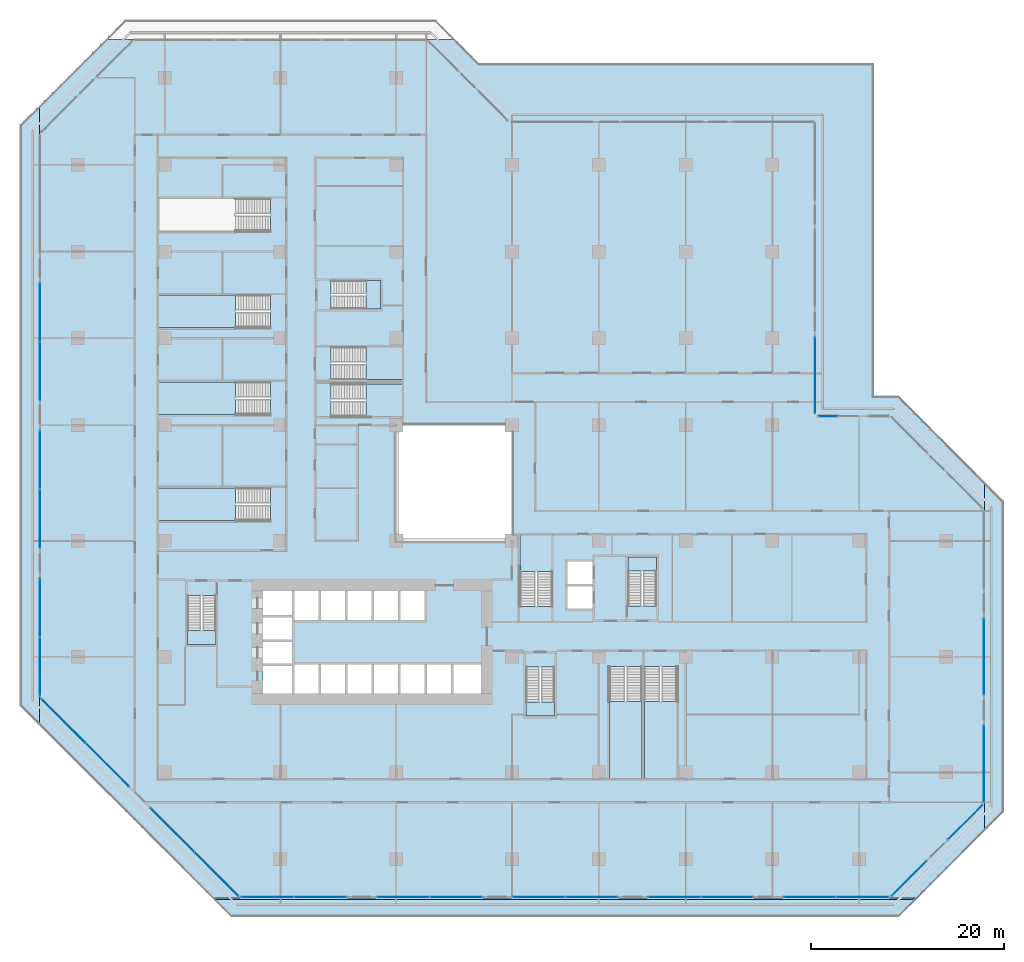
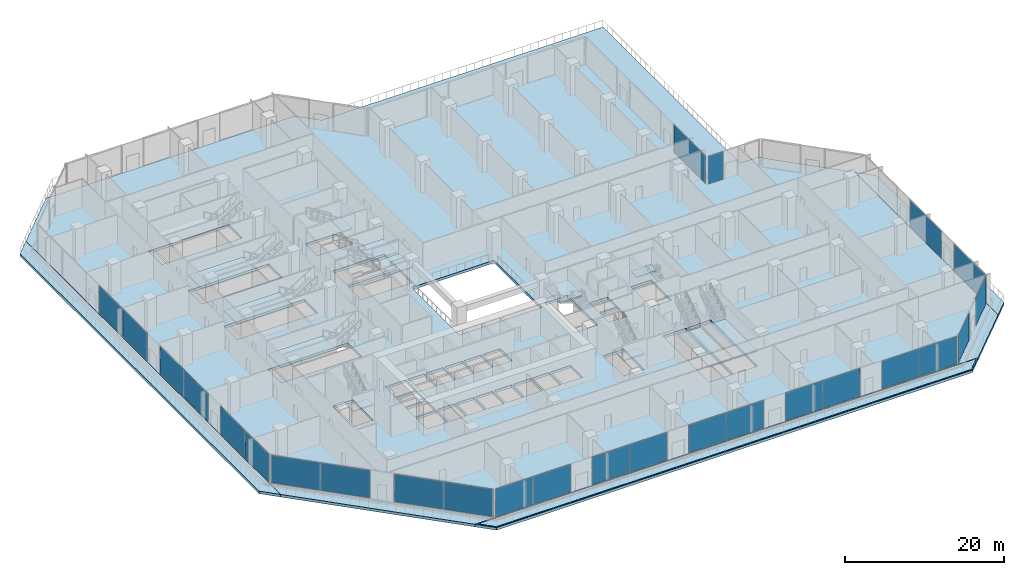
# One storey, part 12 of 31: 26 plates, 17 slabs, 28 elements without a shape of their own.
"""IFC4 building model written with IfcOpenShell, lengths in metres."""

from ifc_helpers import new_model, si_unit, direction, frame, origin, origin_2d, place, context, subcontext, project, spatial, polyline, rectangle, outline, extrude, material, layer, layer_set, type_object, element, aggregate, save


model = new_model("IFC4")

# Units and contexts
model_context = context("Model", 3, precision=1e-05, world=origin(), true_north=direction((0.0, 1.0)))
body_context = subcontext(model_context, "Body", "Model", "MODEL_VIEW")
ifc_project = project(units=[si_unit("LENGTHUNIT", "METRE"), si_unit("AREAUNIT", "SQUARE_METRE"), si_unit("VOLUMEUNIT", "CUBIC_METRE"), si_unit("PLANEANGLEUNIT", "RADIAN"), si_unit("MASSUNIT", "GRAM", prefix="KILO")], contexts=[model_context])

# Site, building, storey
site_placement = place(None, origin())
site = spatial("IfcSite", under=ifc_project, at=site_placement, CompositionType="ELEMENT")
building_placement = place(site_placement, origin())
building = spatial("IfcBuilding", under=site, at=building_placement, Name="Chenar Terraces", CompositionType="ELEMENT")
storey_placement = place(building_placement, frame((0.0, 0.0, 7.199951171875)))
storey = spatial("IfcBuildingStorey", under=building, at=storey_placement, Name="L01", CompositionType="ELEMENT", Elevation=7.199951171875)

# Stair, slab
ifc_material_1 = material(Name="Reinforced concrete C40/50", Category="concrete")
stair_type = type_object("IfcStairType", Name="Core stair 1400 half-turn", PredefinedType="HALF_TURN_STAIR", material=ifc_material_1)
placement_1 = place(storey_placement, origin())
stair_1 = element("IfcStair", 1, at=placement_1, inside=storey, type_object=stair_type, Name="L01 Stair 1", PredefinedType="HALF_TURN_STAIR")
ifc_material_2 = material(Name="Reinforced concrete C40/50", Category="concrete")
ifc_layer_1 = layer(ifc_material_2, 0.199951171875)
ifc_layer_set_1 = layer_set([ifc_layer_1], Name="Reinforced concrete C40/50")
slab_type_1 = type_object("IfcSlabType", Name="Core stair landing 200", PredefinedType="LANDING", material=ifc_layer_set_1)
placement_2 = place(storey_placement, frame((0.0, 0.0, 2.199951171875)))
slab_1 = element("IfcSlab", 2, at=placement_2, type_object=slab_type_1, Name="ST1 landing 1", PredefinedType="LANDING", context=body_context, shape_type="SweptSolid", body=[
    extrude(outline(polyline([(2.35009765625, 14.7099609375), (2.35009765625, 13.25), (5.300048828125, 13.25), (5.300048828125, 14.7099609375), (2.35009765625, 14.7099609375)])), origin(), (0.0, 0.0, 1.0), 0.2001953125),
])
aggregate(stair_1, [slab_1])

stair_2 = element("IfcStair", 3, at=placement_1, inside=storey, type_object=stair_type, Name="L01 Stair 2", PredefinedType="HALF_TURN_STAIR")
slab_2 = element("IfcSlab", 4, at=placement_2, type_object=slab_type_1, Name="ST2 landing 1", PredefinedType="LANDING", context=body_context, shape_type="SweptSolid", body=[
    extrude(outline(polyline([(37.449951171875, 7.31005859375), (37.449951171875, 5.85009765625), (40.39990234375, 5.85009765625), (40.39990234375, 7.31005859375), (37.449951171875, 7.31005859375)])), origin(), (0.0, 0.0, 1.0), 0.2001953125),
])
aggregate(stair_2, [slab_2])

stair_3 = element("IfcStair", 5, at=placement_1, inside=storey, type_object=stair_type, Name="L01 Stair 3", PredefinedType="HALF_TURN_STAIR")
slab_3 = element("IfcSlab", 6, at=placement_2, type_object=slab_type_1, Name="ST3 landing 1", PredefinedType="LANDING", context=body_context, shape_type="SweptSolid", body=[
    extrude(outline(polyline([(50.97509765625, 20.889892578125), (50.97509765625, 22.35009765625), (48.02490234375, 22.35009765625), (48.02490234375, 20.889892578125), (50.97509765625, 20.889892578125)])), origin(), (0.0, 0.0, 1.0), 0.2001953125),
])
aggregate(stair_3, [slab_3])

stair_4 = element("IfcStair", 7, at=placement_1, inside=storey, type_object=stair_type, Name="L01 Stair 4", PredefinedType="HALF_TURN_STAIR")
slab_4 = element("IfcSlab", 8, at=placement_2, type_object=slab_type_1, Name="ST4 landing 1", PredefinedType="LANDING", context=body_context, shape_type="SweptSolid", body=[
    extrude(outline(polyline([(20.889892578125, 48.02490234375), (22.35009765625, 48.02490234375), (22.35009765625, 50.97509765625), (20.889892578125, 50.97509765625), (20.889892578125, 48.02490234375)])), origin(), (0.0, 0.0, 1.0), 0.2001953125),
])
aggregate(stair_4, [slab_4])

stair_5 = element("IfcStair", 9, at=placement_1, inside=storey, type_object=stair_type, Name="L01 Exit stair PS1", PredefinedType="HALF_TURN_STAIR")
slab_5 = element("IfcSlab", 10, at=placement_2, type_object=slab_type_1, Name="PS1 landing 1", PredefinedType="LANDING", context=body_context, shape_type="SweptSolid", body=[
    extrude(outline(polyline([(40.175048828125, 20.840087890625), (40.175048828125, 24.699951171875), (36.824951171875, 24.699951171875), (36.824951171875, 20.840087890625), (40.175048828125, 20.840087890625)])), origin(), (0.0, 0.0, 1.0), 0.2001953125),
])
aggregate(stair_5, [slab_5])

stair_6 = element("IfcStair", 11, at=placement_1, inside=storey, type_object=stair_type, Name="L01 Exit stair PS2", PredefinedType="HALF_TURN_STAIR")
slab_6 = element("IfcSlab", 12, at=placement_2, type_object=slab_type_1, Name="PS2 landing 1", PredefinedType="LANDING", context=body_context, shape_type="SweptSolid", body=[
    extrude(outline(polyline([(49.7099609375, 7.344970703125), (49.7099609375, -0.699951171875), (53.090087890625, -0.699951171875), (53.090087890625, 7.344970703125), (49.7099609375, 7.344970703125)])), origin(), (0.0, 0.0, 1.0), 0.2001953125),
])
aggregate(stair_6, [slab_6])

stair_7 = element("IfcStair", 13, at=placement_1, inside=storey, type_object=stair_type, Name="L01 Exit stair PS4", PredefinedType="HALF_TURN_STAIR")
slab_7 = element("IfcSlab", 14, at=placement_2, type_object=slab_type_1, Name="PS4 landing 1", PredefinedType="LANDING", context=body_context, shape_type="SweptSolid", body=[
    extrude(outline(polyline([(7.344970703125, 49.489990234375), (-0.699951171875, 49.489990234375), (-0.699951171875, 46.110107421875), (7.344970703125, 46.110107421875), (7.344970703125, 49.489990234375)])), origin(), (0.0, 0.0, 1.0), 0.2001953125),
])
aggregate(stair_7, [slab_7])

stair_8 = element("IfcStair", 15, at=placement_1, inside=storey, type_object=stair_type, Name="L01 Exit stair PS5", PredefinedType="HALF_TURN_STAIR")
slab_8 = element("IfcSlab", 16, at=placement_2, type_object=slab_type_1, Name="PS5 landing 1", PredefinedType="LANDING", context=body_context, shape_type="SweptSolid", body=[
    extrude(outline(polyline([(7.344970703125, 29.489990234375), (-0.699951171875, 29.489990234375), (-0.699951171875, 26.110107421875), (7.344970703125, 26.110107421875), (7.344970703125, 29.489990234375)])), origin(), (0.0, 0.0, 1.0), 0.2001953125),
])
aggregate(stair_8, [slab_8])

stair_9 = element("IfcStair", 17, at=placement_1, inside=storey, type_object=stair_type, Name="L01 Exit stair PS6", PredefinedType="HALF_TURN_STAIR")
slab_9 = element("IfcSlab", 18, at=placement_2, type_object=slab_type_1, Name="PS6 landing 1", PredefinedType="LANDING", context=body_context, shape_type="SweptSolid", body=[
    extrude(outline(polyline([(46.110107421875, 7.344970703125), (46.110107421875, -0.699951171875), (49.489990234375, -0.699951171875), (49.489990234375, 7.344970703125), (46.110107421875, 7.344970703125)])), origin(), (0.0, 0.0, 1.0), 0.2001953125),
])
aggregate(stair_9, [slab_9])

stair_10 = element("IfcStair", 19, at=placement_1, inside=storey, type_object=stair_type, Name="L01 Exit stair PS7", PredefinedType="HALF_TURN_STAIR")
slab_10 = element("IfcSlab", 20, at=placement_2, type_object=slab_type_1, Name="PS7 landing 1", PredefinedType="LANDING", context=body_context, shape_type="SweptSolid", body=[
    extrude(outline(polyline([(20.85498046875, 36.909912109375), (24.699951171875, 36.909912109375), (24.699951171875, 40.2900390625), (20.85498046875, 40.2900390625), (20.85498046875, 36.909912109375)])), origin(), (0.0, 0.0, 1.0), 0.2001953125),
])
aggregate(stair_10, [slab_10])

stair_11 = element("IfcStair", 21, at=placement_1, inside=storey, type_object=stair_type, Name="L01 Exit stair PS8", PredefinedType="HALF_TURN_STAIR")
slab_11 = element("IfcSlab", 22, at=placement_2, type_object=slab_type_1, Name="PS8 landing 1", PredefinedType="LANDING", context=body_context, shape_type="SweptSolid", body=[
    extrude(outline(polyline([(20.85498046875, 40.7099609375), (24.699951171875, 40.7099609375), (24.699951171875, 44.090087890625), (20.85498046875, 44.090087890625), (20.85498046875, 40.7099609375)])), origin(), (0.0, 0.0, 1.0), 0.2001953125),
])
aggregate(stair_11, [slab_11])

stair_12 = element("IfcStair", 23, at=placement_1, inside=storey, type_object=stair_type, Name="L01 Exit stair PS9", PredefinedType="HALF_TURN_STAIR")
slab_12 = element("IfcSlab", 24, at=placement_2, type_object=slab_type_1, Name="PS9 landing 1", PredefinedType="LANDING", context=body_context, shape_type="SweptSolid", body=[
    extrude(outline(polyline([(7.344970703125, 40.489990234375), (-0.699951171875, 40.489990234375), (-0.699951171875, 37.110107421875), (7.344970703125, 37.110107421875), (7.344970703125, 40.489990234375)])), origin(), (0.0, 0.0, 1.0), 0.2001953125),
])
aggregate(stair_12, [slab_12])

# Slab
ifc_material_3 = material(Name="Concrete C40/50", Category="concrete")
ifc_layer_2 = layer(ifc_material_3, 0.39990234375)
ifc_layer_set_2 = layer_set([ifc_layer_2], Name="Concrete C40/50")
slab_type_2 = type_object("IfcSlabType", Name="Floor slab 400 Concrete C40/50", PredefinedType="FLOOR", material=ifc_layer_set_2)
placement_3 = place(storey_placement, frame((0.0, 0.0, -0.39990234375)))
element("IfcSlab", 25, at=placement_3, inside=storey, type_object=slab_type_2, Name="Floor slab L01", PredefinedType="FLOOR", context=body_context, shape_type="SweptSolid", body=[
    extrude(outline(polyline([(-12.998046875, 7.734619140625), (-12.998046875, 66.265380859375), (-13.0, 66.263427734375), (-13.0, 69.091796875), (-6.091796875, 76.0), (-3.263427734375, 76.0), (-3.265380859375, 75.998046875), (27.265380859375, 75.998046875), (27.263427734375, 76.0), (30.091796875, 76.0), (32.591796875, 73.5), (73.5, 73.5), (73.5, 39.0), (76.091796875, 39.0), (85.0, 30.091796875), (85.0, 27.263427734375), (84.998046875, 27.265380859375), (84.998046875, -3.265380859375), (85.0, -3.263427734375), (85.0, -6.091796875), (78.091796875, -13.0), (75.263427734375, -13.0), (75.265380859375, -12.998046875), (7.734619140625, -12.998046875), (7.736572265625, -13.0), (4.908203125, -13.0), (-13.0, 4.908203125), (-13.0, 7.736572265625), (-12.998046875, 7.734619140625)]), holes=[polyline([(13.199951171875, 8.199951171875), (13.199951171875, 11.050048828125), (10.199951171875, 11.050048828125), (10.199951171875, 8.199951171875), (13.199951171875, 8.199951171875)]), polyline([(15.949951171875, 8.199951171875), (15.949951171875, 11.199951171875), (13.449951171875, 11.199951171875), (13.449951171875, 8.199951171875), (15.949951171875, 8.199951171875)]), polyline([(18.699951171875, 8.199951171875), (18.699951171875, 11.199951171875), (16.199951171875, 11.199951171875), (16.199951171875, 8.199951171875), (18.699951171875, 8.199951171875)]), polyline([(21.449951171875, 8.199951171875), (21.449951171875, 11.199951171875), (18.949951171875, 11.199951171875), (18.949951171875, 8.199951171875), (21.449951171875, 8.199951171875)]), polyline([(13.199951171875, 11.300048828125), (13.199951171875, 13.550048828125), (10.199951171875, 13.550048828125), (10.199951171875, 11.300048828125), (13.199951171875, 11.300048828125)]), polyline([(13.199951171875, 13.800048828125), (13.199951171875, 16.050048828125), (10.199951171875, 16.050048828125), (10.199951171875, 13.800048828125), (13.199951171875, 13.800048828125)]), polyline([(2.35009765625, 18.35009765625), (2.35009765625, 13.25), (5.300048828125, 13.25), (5.300048828125, 18.35009765625), (2.35009765625, 18.35009765625)]), polyline([(15.949951171875, 15.800048828125), (15.949951171875, 18.800048828125), (13.449951171875, 18.800048828125), (13.449951171875, 15.800048828125), (15.949951171875, 15.800048828125)]), polyline([(18.699951171875, 15.800048828125), (18.699951171875, 18.800048828125), (16.199951171875, 18.800048828125), (16.199951171875, 15.800048828125), (18.699951171875, 15.800048828125)]), polyline([(21.449951171875, 15.800048828125), (21.449951171875, 18.800048828125), (18.949951171875, 18.800048828125), (18.949951171875, 15.800048828125), (21.449951171875, 15.800048828125)]), polyline([(13.199951171875, 16.300048828125), (13.199951171875, 18.800048828125), (10.199951171875, 18.800048828125), (10.199951171875, 16.300048828125), (13.199951171875, 16.300048828125)]), polyline([(10.985107421875, 29.489990234375), (-0.699951171875, 29.489990234375), (-0.699951171875, 26.110107421875), (10.985107421875, 26.110107421875), (10.985107421875, 29.489990234375)]), polyline([(10.985107421875, 40.489990234375), (-0.699951171875, 40.489990234375), (-0.699951171875, 37.110107421875), (10.985107421875, 37.110107421875), (10.985107421875, 40.489990234375)]), polyline([(10.985107421875, 49.489990234375), (-0.699951171875, 49.489990234375), (-0.699951171875, 46.110107421875), (10.985107421875, 46.110107421875), (10.985107421875, 49.489990234375)]), polyline([(17.25, 48.02490234375), (22.35009765625, 48.02490234375), (22.35009765625, 50.97509765625), (17.25, 50.97509765625), (17.25, 48.02490234375)]), polyline([(10.985107421875, 59.489990234375), (-0.699951171875, 59.489990234375), (-0.699951171875, 56.110107421875), (10.985107421875, 56.110107421875), (10.985107421875, 59.489990234375)]), polyline([(46.110107421875, 10.985107421875), (46.110107421875, -0.699951171875), (49.489990234375, -0.699951171875), (49.489990234375, 10.985107421875), (46.110107421875, 10.985107421875)]), polyline([(49.7099609375, 10.985107421875), (49.7099609375, -0.699951171875), (53.090087890625, -0.699951171875), (53.090087890625, 10.985107421875), (49.7099609375, 10.985107421875)]), polyline([(37.449951171875, 10.949951171875), (37.449951171875, 5.85009765625), (40.39990234375, 5.85009765625), (40.39990234375, 10.949951171875), (37.449951171875, 10.949951171875)]), polyline([(24.199951171875, 8.199951171875), (24.199951171875, 11.199951171875), (21.699951171875, 11.199951171875), (21.699951171875, 8.199951171875), (24.199951171875, 8.199951171875)]), polyline([(26.949951171875, 8.199951171875), (26.949951171875, 11.199951171875), (24.449951171875, 11.199951171875), (24.449951171875, 8.199951171875), (26.949951171875, 8.199951171875)]), polyline([(29.699951171875, 8.199951171875), (29.699951171875, 11.199951171875), (27.199951171875, 11.199951171875), (27.199951171875, 8.199951171875), (29.699951171875, 8.199951171875)]), polyline([(32.800048828125, 8.199951171875), (32.800048828125, 11.199951171875), (29.949951171875, 11.199951171875), (29.949951171875, 8.199951171875), (32.800048828125, 8.199951171875)]), polyline([(24.199951171875, 15.800048828125), (24.199951171875, 18.800048828125), (21.699951171875, 18.800048828125), (21.699951171875, 15.800048828125), (24.199951171875, 15.800048828125)]), polyline([(26.949951171875, 15.800048828125), (26.949951171875, 18.800048828125), (24.449951171875, 18.800048828125), (24.449951171875, 15.800048828125), (26.949951171875, 15.800048828125)]), polyline([(44.35009765625, 17.0), (44.35009765625, 19.300048828125), (41.75, 19.300048828125), (41.75, 17.0), (44.35009765625, 17.0)]), polyline([(50.97509765625, 17.25), (50.97509765625, 22.35009765625), (48.02490234375, 22.35009765625), (48.02490234375, 17.25), (50.97509765625, 17.25)]), polyline([(44.35009765625, 19.550048828125), (44.35009765625, 21.85009765625), (41.75, 21.85009765625), (41.75, 19.550048828125), (44.35009765625, 19.550048828125)]), polyline([(40.175048828125, 17.199951171875), (40.175048828125, 24.699951171875), (36.824951171875, 24.699951171875), (36.824951171875, 17.199951171875), (40.175048828125, 17.199951171875)]), polyline([(24.0, 24.0), (36.0, 24.0), (36.0, 36.0), (24.0, 36.0), (24.0, 24.0)]), polyline([(17.215087890625, 36.909912109375), (24.699951171875, 36.909912109375), (24.699951171875, 40.2900390625), (17.215087890625, 40.2900390625), (17.215087890625, 36.909912109375)]), polyline([(17.215087890625, 40.7099609375), (24.699951171875, 40.7099609375), (24.699951171875, 44.090087890625), (17.215087890625, 44.090087890625), (17.215087890625, 40.7099609375)])]), origin(), (0.0, 0.0, 1.0), 0.39990234375),
])

# Curtain wall, plates
ifc_material_4 = material(Name="Aluminium framed glazing", Category="aluminium")
ifc_layer_3 = layer(ifc_material_4, 0.14990234375)
ifc_layer_set_3 = layer_set([ifc_layer_3], Name="Aluminium framed glazing")
curtain_wall_type = type_object("IfcCurtainWallType", Name="School curtain wall", PredefinedType="NOTDEFINED", material=ifc_layer_set_3)
curtain_wall_1 = element("IfcCurtainWall", 26, at=placement_1, inside=storey, type_object=curtain_wall_type, Name="School curtain wall", PredefinedType="NOTDEFINED")
ifc_material_5 = material(Name="Low emissivity laminated glass, solar control coating", Category="glass")
ifc_layer_4 = layer(ifc_material_5, 0.031982421875)
ifc_layer_set_4 = layer_set([ifc_layer_4], Name="Low emissivity laminated glass, solar control coating")
plate_type = type_object("IfcPlateType", Name="School glazing panel 32", PredefinedType="CURTAIN_PANEL", material=ifc_layer_set_4)
plate_1_placement = place(storey_placement, frame((-12.925048828125, 47.706298828125, 0.06982421875), z_axis=(0.0, 0.0, 1.0), x_axis=(0.0, -1.0, 0.0)))
plate_1 = element("IfcPlate", 27, at=plate_1_placement, type_object=plate_type, Name="CW2-04c1 panel 1.1", PredefinedType="CURTAIN_PANEL", context=body_context, shape_type="SweptSolid", body=[
    extrude(rectangle(XDim=6.035888671875, YDim=0.031982421875, at=origin_2d()), origin(), (0.0, 0.0, 1.0), 4.260009765625),
])
plate_2_placement = place(storey_placement, frame((-12.925048828125, 41.600341796875, 0.06982421875), z_axis=(0.0, 0.0, 1.0), x_axis=(0.0, -1.0, 0.0)))
plate_2 = element("IfcPlate", 28, at=plate_2_placement, type_object=plate_type, Name="CW2-04c1 panel 2.1", PredefinedType="CURTAIN_PANEL", context=body_context, shape_type="SweptSolid", body=[
    extrude(rectangle(XDim=6.035888671875, YDim=0.031982421875, at=origin_2d()), origin(), (0.0, 0.0, 1.0), 4.260009765625),
])
aggregate(curtain_wall_1, [plate_1, plate_2])

curtain_wall_2 = element("IfcCurtainWall", 29, at=placement_1, inside=storey, type_object=curtain_wall_type, Name="School curtain wall", PredefinedType="NOTDEFINED")
plate_3_placement = place(storey_placement, frame((-12.925048828125, 32.399658203125, 0.06982421875), z_axis=(0.0, 0.0, 1.0), x_axis=(0.0, -1.0, 0.0)))
plate_3 = element("IfcPlate", 30, at=plate_3_placement, type_object=plate_type, Name="CW2-04c2 panel 1.1", PredefinedType="CURTAIN_PANEL", context=body_context, shape_type="SweptSolid", body=[
    extrude(rectangle(XDim=6.035888671875, YDim=0.031982421875, at=origin_2d()), origin(), (0.0, 0.0, 1.0), 4.260009765625),
])
plate_4_placement = place(storey_placement, frame((-12.925048828125, 26.293701171875, 0.06982421875), z_axis=(0.0, 0.0, 1.0), x_axis=(0.0, -1.0, 0.0)))
plate_4 = element("IfcPlate", 31, at=plate_4_placement, type_object=plate_type, Name="CW2-04c2 panel 2.1", PredefinedType="CURTAIN_PANEL", context=body_context, shape_type="SweptSolid", body=[
    extrude(rectangle(XDim=6.035888671875, YDim=0.031982421875, at=origin_2d()), origin(), (0.0, 0.0, 1.0), 4.260009765625),
])
aggregate(curtain_wall_2, [plate_3, plate_4])

curtain_wall_3 = element("IfcCurtainWall", 32, at=placement_1, inside=storey, type_object=curtain_wall_type, Name="School curtain wall", PredefinedType="NOTDEFINED")
plate_5_placement = place(storey_placement, frame((-12.925048828125, 17.089599609375, 0.06982421875), z_axis=(0.0, 0.0, 1.0), x_axis=(0.0, -1.0, 0.0)))
plate_5 = element("IfcPlate", 33, at=plate_5_placement, type_object=plate_type, Name="CW2-04c3 panel 1.1", PredefinedType="CURTAIN_PANEL", context=body_context, shape_type="SweptSolid", body=[
    extrude(rectangle(XDim=6.042236328125, YDim=0.031982421875, at=origin_2d()), origin(), (0.0, 0.0, 1.0), 4.260009765625),
])
plate_6_placement = place(storey_placement, frame((-12.925048828125, 10.9775390625, 0.06982421875), z_axis=(0.0, 0.0, 1.0), x_axis=(0.0, -1.0, 0.0)))
plate_6 = element("IfcPlate", 34, at=plate_6_placement, type_object=plate_type, Name="CW2-04c3 panel 2.1", PredefinedType="CURTAIN_PANEL", context=body_context, shape_type="SweptSolid", body=[
    extrude(rectangle(XDim=6.042236328125, YDim=0.031982421875, at=origin_2d()), origin(), (0.0, 0.0, 1.0), 4.260009765625),
])
aggregate(curtain_wall_3, [plate_5, plate_6])

curtain_wall_4 = element("IfcCurtainWall", 35, at=placement_1, inside=storey, type_object=curtain_wall_type, Name="School curtain wall", PredefinedType="NOTDEFINED")
plate_7_placement = place(storey_placement, frame((-10.5302734375, 5.372802734375, 0.06982421875), z_axis=(0.0, 0.0, 1.0), x_axis=(0.707106781187, -0.707106781187, 0.0)))
plate_7 = element("IfcPlate", 36, at=plate_7_placement, type_object=plate_type, Name="CW2-05c0 panel 1.1", PredefinedType="CURTAIN_PANEL", context=body_context, shape_type="SweptSolid", body=[
    extrude(rectangle(XDim=6.395263671875, YDim=0.031982421875, at=origin_2d()), origin(), (0.0, 0.0, 1.0), 4.260009765625),
])
plate_8_placement = place(storey_placement, frame((-5.958740234375, 0.80126953125, 0.06982421875), z_axis=(0.0, 0.0, 1.0), x_axis=(0.707106781187, -0.707106781187, 0.0)))
plate_8 = element("IfcPlate", 37, at=plate_8_placement, type_object=plate_type, Name="CW2-05c0 panel 2.1", PredefinedType="CURTAIN_PANEL", context=body_context, shape_type="SweptSolid", body=[
    extrude(rectangle(XDim=6.395263671875, YDim=0.031982421875, at=origin_2d()), origin(), (0.0, 0.0, 1.0), 4.260009765625),
])
aggregate(curtain_wall_4, [plate_7, plate_8])

curtain_wall_5 = element("IfcCurtainWall", 38, at=placement_1, inside=storey, type_object=curtain_wall_type, Name="School curtain wall", PredefinedType="NOTDEFINED")
plate_9_placement = place(storey_placement, frame((0.80126953125, -5.958740234375, 0.06982421875), z_axis=(0.0, 0.0, 1.0), x_axis=(0.707106781187, -0.707106781187, 0.0)))
plate_9 = element("IfcPlate", 39, at=plate_9_placement, type_object=plate_type, Name="CW2-05c1 panel 1.1", PredefinedType="CURTAIN_PANEL", context=body_context, shape_type="SweptSolid", body=[
    extrude(rectangle(XDim=6.395263671875, YDim=0.031982421875, at=origin_2d()), origin(), (0.0, 0.0, 1.0), 4.260009765625),
])
plate_10_placement = place(storey_placement, frame((5.372802734375, -10.5302734375, 0.06982421875), z_axis=(0.0, 0.0, 1.0), x_axis=(0.707106781187, -0.707106781187, 0.0)))
plate_10 = element("IfcPlate", 40, at=plate_10_placement, type_object=plate_type, Name="CW2-05c1 panel 2.1", PredefinedType="CURTAIN_PANEL", context=body_context, shape_type="SweptSolid", body=[
    extrude(rectangle(XDim=6.395263671875, YDim=0.031982421875, at=origin_2d()), origin(), (0.0, 0.0, 1.0), 4.260009765625),
])
aggregate(curtain_wall_5, [plate_9, plate_10])

curtain_wall_6 = element("IfcCurtainWall", 41, at=placement_1, inside=storey, type_object=curtain_wall_type, Name="School curtain wall", PredefinedType="NOTDEFINED")
plate_11_placement = place(storey_placement, frame((10.662109375, -12.925048828125, 0.06982421875), z_axis=(0.0, 0.0, 1.0), x_axis=(1.0, 0.0, 0.0)))
plate_11 = element("IfcPlate", 42, at=plate_11_placement, type_object=plate_type, Name="CW2-06c0 panel 1.1", PredefinedType="CURTAIN_PANEL", context=body_context, shape_type="SweptSolid", body=[
    extrude(rectangle(XDim=5.411376953125, YDim=0.031982421875, at=origin_2d()), origin(), (0.0, 0.0, 1.0), 4.260009765625),
])
plate_12_placement = place(storey_placement, frame((16.1435546875, -12.925048828125, 0.06982421875), z_axis=(0.0, 0.0, 1.0), x_axis=(1.0, 0.0, 0.0)))
plate_12 = element("IfcPlate", 43, at=plate_12_placement, type_object=plate_type, Name="CW2-06c0 panel 2.1", PredefinedType="CURTAIN_PANEL", context=body_context, shape_type="SweptSolid", body=[
    extrude(rectangle(XDim=5.411376953125, YDim=0.031982421875, at=origin_2d()), origin(), (0.0, 0.0, 1.0), 4.260009765625),
])
aggregate(curtain_wall_6, [plate_11, plate_12])

curtain_wall_7 = element("IfcCurtainWall", 44, at=placement_1, inside=storey, type_object=curtain_wall_type, Name="School curtain wall", PredefinedType="NOTDEFINED")
plate_13_placement = place(storey_placement, frame((24.717041015625, -12.925048828125, 0.06982421875), z_axis=(0.0, 0.0, 1.0), x_axis=(1.0, 0.0, 0.0)))
plate_13 = element("IfcPlate", 45, at=plate_13_placement, type_object=plate_type, Name="CW2-06c1 panel 1.1", PredefinedType="CURTAIN_PANEL", context=body_context, shape_type="SweptSolid", body=[
    extrude(rectangle(XDim=5.4052734375, YDim=0.031982421875, at=origin_2d()), origin(), (0.0, 0.0, 1.0), 4.260009765625),
])
plate_14_placement = place(storey_placement, frame((30.192138671875, -12.925048828125, 0.06982421875), z_axis=(0.0, 0.0, 1.0), x_axis=(1.0, 0.0, 0.0)))
plate_14 = element("IfcPlate", 46, at=plate_14_placement, type_object=plate_type, Name="CW2-06c1 panel 2.1", PredefinedType="CURTAIN_PANEL", context=body_context, shape_type="SweptSolid", body=[
    extrude(rectangle(XDim=5.4052734375, YDim=0.031982421875, at=origin_2d()), origin(), (0.0, 0.0, 1.0), 4.260009765625),
])
aggregate(curtain_wall_7, [plate_13, plate_14])

curtain_wall_8 = element("IfcCurtainWall", 47, at=placement_1, inside=storey, type_object=curtain_wall_type, Name="School curtain wall", PredefinedType="NOTDEFINED")
plate_15_placement = place(storey_placement, frame((38.762451171875, -12.925048828125, 0.06982421875), z_axis=(0.0, 0.0, 1.0), x_axis=(1.0, 0.0, 0.0)))
plate_15 = element("IfcPlate", 48, at=plate_15_placement, type_object=plate_type, Name="CW2-06c2 panel 1.1", PredefinedType="CURTAIN_PANEL", context=body_context, shape_type="SweptSolid", body=[
    extrude(rectangle(XDim=5.4052734375, YDim=0.031982421875, at=origin_2d()), origin(), (0.0, 0.0, 1.0), 4.260009765625),
])
plate_16_placement = place(storey_placement, frame((44.237548828125, -12.925048828125, 0.06982421875), z_axis=(0.0, 0.0, 1.0), x_axis=(1.0, 0.0, 0.0)))
plate_16 = element("IfcPlate", 49, at=plate_16_placement, type_object=plate_type, Name="CW2-06c2 panel 2.1", PredefinedType="CURTAIN_PANEL", context=body_context, shape_type="SweptSolid", body=[
    extrude(rectangle(XDim=5.4052734375, YDim=0.031982421875, at=origin_2d()), origin(), (0.0, 0.0, 1.0), 4.260009765625),
])
aggregate(curtain_wall_8, [plate_15, plate_16])

curtain_wall_9 = element("IfcCurtainWall", 50, at=placement_1, inside=storey, type_object=curtain_wall_type, Name="School curtain wall", PredefinedType="NOTDEFINED")
plate_17_placement = place(storey_placement, frame((52.807861328125, -12.925048828125, 0.06982421875), z_axis=(0.0, 0.0, 1.0), x_axis=(1.0, 0.0, 0.0)))
plate_17 = element("IfcPlate", 51, at=plate_17_placement, type_object=plate_type, Name="CW2-06c3 panel 1.1", PredefinedType="CURTAIN_PANEL", context=body_context, shape_type="SweptSolid", body=[
    extrude(rectangle(XDim=5.4052734375, YDim=0.031982421875, at=origin_2d()), origin(), (0.0, 0.0, 1.0), 4.260009765625),
])
plate_18_placement = place(storey_placement, frame((58.282958984375, -12.925048828125, 0.06982421875), z_axis=(0.0, 0.0, 1.0), x_axis=(1.0, 0.0, 0.0)))
plate_18 = element("IfcPlate", 52, at=plate_18_placement, type_object=plate_type, Name="CW2-06c3 panel 2.1", PredefinedType="CURTAIN_PANEL", context=body_context, shape_type="SweptSolid", body=[
    extrude(rectangle(XDim=5.4052734375, YDim=0.031982421875, at=origin_2d()), origin(), (0.0, 0.0, 1.0), 4.260009765625),
])
aggregate(curtain_wall_9, [plate_17, plate_18])

curtain_wall_10 = element("IfcCurtainWall", 53, at=placement_1, inside=storey, type_object=curtain_wall_type, Name="School curtain wall", PredefinedType="NOTDEFINED")
plate_19_placement = place(storey_placement, frame((66.8564453125, -12.925048828125, 0.06982421875), z_axis=(0.0, 0.0, 1.0), x_axis=(1.0, 0.0, 0.0)))
plate_19 = element("IfcPlate", 54, at=plate_19_placement, type_object=plate_type, Name="CW2-06c4 panel 1.1", PredefinedType="CURTAIN_PANEL", context=body_context, shape_type="SweptSolid", body=[
    extrude(rectangle(XDim=5.411376953125, YDim=0.031982421875, at=origin_2d()), origin(), (0.0, 0.0, 1.0), 4.260009765625),
])
plate_20_placement = place(storey_placement, frame((72.337890625, -12.925048828125, 0.06982421875), z_axis=(0.0, 0.0, 1.0), x_axis=(1.0, 0.0, 0.0)))
plate_20 = element("IfcPlate", 55, at=plate_20_placement, type_object=plate_type, Name="CW2-06c4 panel 2.1", PredefinedType="CURTAIN_PANEL", context=body_context, shape_type="SweptSolid", body=[
    extrude(rectangle(XDim=5.411376953125, YDim=0.031982421875, at=origin_2d()), origin(), (0.0, 0.0, 1.0), 4.260009765625),
])
aggregate(curtain_wall_10, [plate_19, plate_20])

# Curtain wall, plate
curtain_wall_11 = element("IfcCurtainWall", 56, at=placement_1, inside=storey, type_object=curtain_wall_type, Name="School curtain wall", PredefinedType="NOTDEFINED")
plate_21_placement = place(storey_placement, frame((77.162841796875, -10.99462890625, 0.06982421875), z_axis=(0.0, 0.0, 1.0), x_axis=(0.707106781187, 0.707106781187, 0.0)))
plate_21 = element("IfcPlate", 57, at=plate_21_placement, type_object=plate_type, Name="CW2-07c0 panel 1.1", PredefinedType="CURTAIN_PANEL", context=body_context, shape_type="SweptSolid", body=[
    extrude(rectangle(XDim=5.082275390625, YDim=0.031982421875, at=origin_2d()), origin(), (0.0, 0.0, 1.0), 4.260009765625),
])
aggregate(curtain_wall_11, [plate_21])

curtain_wall_12 = element("IfcCurtainWall", 58, at=placement_1, inside=storey, type_object=curtain_wall_type, Name="School curtain wall", PredefinedType="NOTDEFINED")
plate_22_placement = place(storey_placement, frame((82.99462890625, -5.162841796875, 0.06982421875), z_axis=(0.0, 0.0, 1.0), x_axis=(0.707106781187, 0.707106781187, 0.0)))
plate_22 = element("IfcPlate", 59, at=plate_22_placement, type_object=plate_type, Name="CW2-07c1 panel 1.1", PredefinedType="CURTAIN_PANEL", context=body_context, shape_type="SweptSolid", body=[
    extrude(rectangle(XDim=5.082275390625, YDim=0.031982421875, at=origin_2d()), origin(), (0.0, 0.0, 1.0), 4.260009765625),
])
aggregate(curtain_wall_12, [plate_22])

curtain_wall_13 = element("IfcCurtainWall", 60, at=placement_1, inside=storey, type_object=curtain_wall_type, Name="School curtain wall", PredefinedType="NOTDEFINED")
plate_23_placement = place(storey_placement, frame((84.925048828125, 0.91796875, 0.06982421875), z_axis=(0.0, 0.0, 1.0), x_axis=(0.0, 1.0, 0.0)))
plate_23 = element("IfcPlate", 61, at=plate_23_placement, type_object=plate_type, Name="CW2-08c0 panel 1.1", PredefinedType="CURTAIN_PANEL", context=body_context, shape_type="SweptSolid", body=[
    extrude(rectangle(XDim=7.923095703125, YDim=0.031982421875, at=origin_2d()), origin(), (0.0, 0.0, 1.0), 4.260009765625),
])
aggregate(curtain_wall_13, [plate_23])

curtain_wall_14 = element("IfcCurtainWall", 62, at=placement_1, inside=storey, type_object=curtain_wall_type, Name="School curtain wall", PredefinedType="NOTDEFINED")
plate_24_placement = place(storey_placement, frame((84.925048828125, 12.0, 0.06982421875), z_axis=(0.0, 0.0, 1.0), x_axis=(0.0, 1.0, 0.0)))
plate_24 = element("IfcPlate", 63, at=plate_24_placement, type_object=plate_type, Name="CW2-08c1 panel 1.1", PredefinedType="CURTAIN_PANEL", context=body_context, shape_type="SweptSolid", body=[
    extrude(rectangle(XDim=7.91064453125, YDim=0.031982421875, at=origin_2d()), origin(), (0.0, 0.0, 1.0), 4.260009765625),
])
aggregate(curtain_wall_14, [plate_24])

curtain_wall_15 = element("IfcCurtainWall", 64, at=placement_1, inside=storey, type_object=curtain_wall_type, Name="School curtain wall", PredefinedType="NOTDEFINED")
plate_25_placement = place(storey_placement, frame((68.759521484375, 36.925048828125, 0.06982421875), z_axis=(0.0, 0.0, 1.0), x_axis=(-1.0, 0.0, 0.0)))
plate_25 = element("IfcPlate", 65, at=plate_25_placement, type_object=plate_type, Name="CW2-10c1 panel 1.1", PredefinedType="CURTAIN_PANEL", context=body_context, shape_type="SweptSolid", body=[
    extrude(rectangle(XDim=2.079345703125, YDim=0.031982421875, at=origin_2d()), origin(), (0.0, 0.0, 1.0), 4.260009765625),
])
aggregate(curtain_wall_15, [plate_25])

curtain_wall_16 = element("IfcCurtainWall", 66, at=placement_1, inside=storey, type_object=curtain_wall_type, Name="School curtain wall", PredefinedType="NOTDEFINED")
plate_26_placement = place(storey_placement, frame((67.425048828125, 41.177001953125, 0.06982421875), z_axis=(0.0, 0.0, 1.0), x_axis=(0.0, 1.0, 0.0)))
plate_26 = element("IfcPlate", 67, at=plate_26_placement, type_object=plate_type, Name="CW2-11c0 panel 1.1", PredefinedType="CURTAIN_PANEL", context=body_context, shape_type="SweptSolid", body=[
    extrude(rectangle(XDim=7.9140625, YDim=0.031982421875, at=origin_2d()), origin(), (0.0, 0.0, 1.0), 4.260009765625),
])
aggregate(curtain_wall_16, [plate_26])

# Slabs
ifc_material_6 = material(Name="Limestone paving", Category="masonry")
ifc_layer_5 = layer(ifc_material_6, 0.050048828125)
ifc_layer_set_5 = layer_set([ifc_layer_5], Name="Limestone paving")
slab_type_3 = type_object("IfcSlabType", Name="Terrace paving 50", PredefinedType="USERDEFINED", material=ifc_layer_set_5)
element("IfcSlab", 68, at=placement_1, inside=storey, type_object=slab_type_3, Name="Terrace paving", ObjectType="PAVING", PredefinedType="USERDEFINED", context=body_context, shape_type="SweptSolid", body=[
    extrude(outline(polyline([(76.02978515625, -14.85009765625), (6.97021484375, -14.85009765625), (5.270263671875, -13.14990234375), (77.729736328125, -13.14990234375), (76.02978515625, -14.85009765625)])), origin(), (0.0, 0.0, 1.0), 0.050048828125),
])
ifc_material_7 = material(Name="Concrete C40/50", Category="concrete")
ifc_layer_6 = layer(ifc_material_7, 0.39990234375)
ifc_layer_set_6 = layer_set([ifc_layer_6], Name="Concrete C40/50")
slab_type_4 = type_object("IfcSlabType", Name="Terrace slab 400 Concrete C40/50", PredefinedType="FLOOR", material=ifc_layer_set_6)
element("IfcSlab", 69, at=placement_3, inside=storey, type_object=slab_type_4, Name="Terrace slab L01", PredefinedType="FLOOR", context=body_context, shape_type="SweptSolid", body=[
    extrude(outline(polyline([(87.0, 28.091796875), (87.0, -4.091796875), (85.0, -6.091796875), (85.0, -3.263427734375), (85.0, 27.263427734375), (85.0, 30.091796875), (87.0, 28.091796875)])), origin(), (0.0, 0.0, 1.0), 0.39990234375),
])
element("IfcSlab", 70, at=placement_3, inside=storey, type_object=slab_type_4, Name="Terrace slab L01 2.1", PredefinedType="FLOOR", context=body_context, shape_type="SweptSolid", body=[
    extrude(outline(polyline([(76.091796875, -15.0), (6.908203125, -15.0), (4.908203125, -13.0), (7.736572265625, -13.0), (75.263427734375, -13.0), (78.091796875, -13.0), (76.091796875, -15.0)])), origin(), (0.0, 0.0, 1.0), 0.39990234375),
])
element("IfcSlab", 71, at=placement_3, inside=storey, type_object=slab_type_4, Name="Terrace slab L01 3.1", PredefinedType="FLOOR", context=body_context, shape_type="SweptSolid", body=[
    extrude(outline(polyline([(-15.0, 6.908203125), (-15.0, 67.091796875), (-13.0, 69.091796875), (-13.0, 66.263427734375), (-13.0, 7.736572265625), (-13.0, 4.908203125), (-15.0, 6.908203125)])), origin(), (0.0, 0.0, 1.0), 0.39990234375),
])

save(model, "model.ifc")
